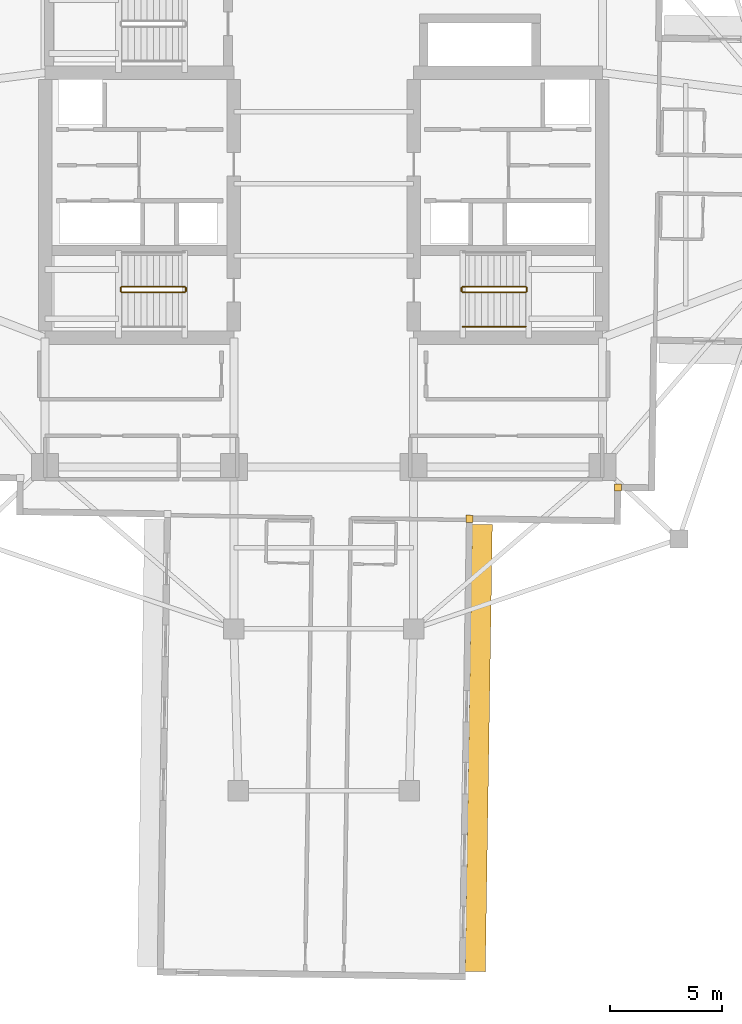
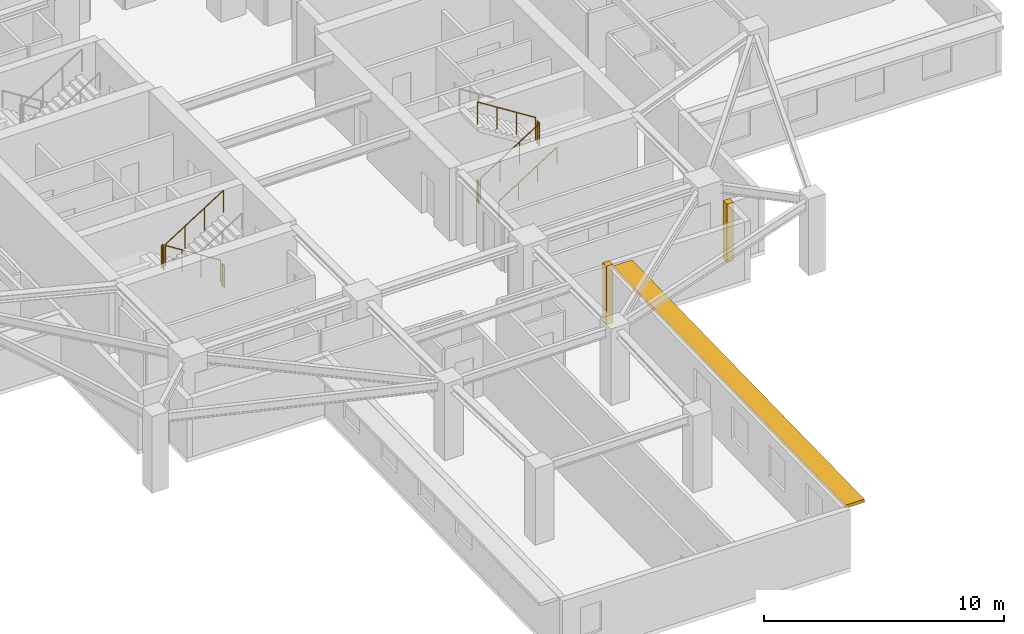
# One storey, part 10 of 13: 9 railings, 2 coverings, 1 shading device.
"""IFC4 building model written with IfcOpenShell, lengths in metres."""

from ifc_helpers import new_model, si_unit, direction, frame, origin, origin_2d, place, context, subcontext, project, spatial, rectangle, circle, extrude, material, layer, layer_set, type_object, element, save


model = new_model("IFC4")

# Units and contexts
model_context = context("Model", 3, precision=1e-05, world=origin(), true_north=direction((0.0, 1.0)))
body_context = subcontext(model_context, "Body", "Model", "MODEL_VIEW")
ifc_project = project(units=[si_unit("LENGTHUNIT", "METRE"), si_unit("AREAUNIT", "SQUARE_METRE"), si_unit("VOLUMEUNIT", "CUBIC_METRE"), si_unit("PLANEANGLEUNIT", "RADIAN"), si_unit("MASSUNIT", "GRAM", prefix="KILO")], contexts=[model_context])

# Site, building, storey
site_placement = place(None, origin())
site = spatial("IfcSite", under=ifc_project, at=site_placement, CompositionType="ELEMENT")
building_placement = place(site_placement, origin())
building = spatial("IfcBuilding", under=site, at=building_placement, Name="Qingluan Cross Belvedere", CompositionType="ELEMENT")
storey_placement = place(building_placement, frame((0.0, 0.0, 148.800048828125)))
storey = spatial("IfcBuildingStorey", under=building, at=storey_placement, Name="L37", CompositionType="ELEMENT", Elevation=148.800048828125)

# Coverings
ifc_material_1 = material(Name="Precast concrete C45", Category="concrete")
ifc_layer_1 = layer(ifc_material_1, 0.1201171875, Name="ConcreteSpandrelCladding_120")
ifc_layer_set_1 = layer_set([ifc_layer_1], Name="Precast concrete C45")
covering_type = type_object("IfcCoveringType", Name="ConcreteSpandrelCladding_120", PredefinedType="CLADDING", material=ifc_layer_set_1)
for number, where, z_axis, x_axis, name in (
    (1, (13.089599609375, -13.50732421875, 0.0), (0.0, 0.0, 1.0), (0.999876632482, -0.015707317312, 0.0), "Corner closure L37-SE1"),
    (2, (6.48681640625, -14.90380859375, 0.0), (0.0, 0.0, 1.0), (0.999876632482, -0.015707317312, 0.0), "Corner closure L37-SE2"),
):
    element("IfcCovering", number, at=place(storey_placement, frame(where, z_axis=z_axis, x_axis=x_axis)), inside=storey, type_object=covering_type, Name=name, PredefinedType="CLADDING", context=body_context, shape_type="SweptSolid", body=[
        extrude(rectangle(XDim=0.320068359375, YDim=0.320068359375, at=origin_2d()), origin(), (0.0, 0.0, 1.0), 2.969970703125),
    ])

# Shading device
ifc_material_2 = material(Name="Precast concrete C45", Category="concrete")
ifc_layer_2 = layer(ifc_material_2, 0.159912109375, Name="ConcreteSunshadeBand_900")
ifc_layer_set_2 = layer_set([ifc_layer_2], Name="Precast concrete C45")
shading_device_type = type_object("IfcShadingDeviceType", Name="ConcreteSunshadeBand_900", PredefinedType="USERDEFINED", material=ifc_layer_set_2)
shading_device_placement = place(storey_placement, frame((6.896484375, -25.101318359375, 2.7900390625), z_axis=(0.0, 0.0, 1.0), x_axis=(0.015706483741, 0.999876645576, 0.0)))
element("IfcShadingDevice", 3, at=shading_device_placement, inside=storey, type_object=shading_device_type, Name="Concrete SUNSHADE L37-SB", ObjectType="SUNSHADE", PredefinedType="USERDEFINED", context=body_context, shape_type="SweptSolid", body=[
    extrude(rectangle(XDim=19.89990234375, YDim=0.89990234375, at=origin_2d()), origin(), (0.0, 0.0, 1.0), 0.159912109375),
])

# Railings
ifc_material_3 = material(Name="Brushed stainless steel tubular handrail", Category="steel")
railing_type_1 = type_object("IfcRailingType", Name="StairPitchHandrail_900", PredefinedType="HANDRAIL", material=ifc_material_3)
railing_1_placement = place(storey_placement, frame((6.179931640625, -6.35009765625, 0.17724609375)))
element("IfcRailing", 4, at=railing_1_placement, inside=storey, type_object=railing_type_1, Name="L37 ST2 stair handrail 1", PredefinedType="HANDRAIL", context=body_context, shape_type="SweptSolid", body=[
    extrude(circle(Radius=0.02392578125, at=origin_2d()), frame((0.0, 0.0, 0.8759765625), z_axis=(0.844908973607, 0.0, 0.534910110503), x_axis=(0.0, 1.0, 0.0)), (0.0, 0.0, 1.0), 3.31396484375),
    extrude(circle(Radius=0.02099609375, at=origin_2d()), origin(), (0.0, 0.0, 1.0), 0.851806640625),
    extrude(circle(Radius=0.02099609375, at=origin_2d()), frame((0.933349609375, 0.0, 0.5908203125)), (0.0, 0.0, 1.0), 0.851806640625),
    extrude(circle(Radius=0.02099609375, at=origin_2d()), frame((1.86669921875, 0.0, 1.181884765625)), (0.0, 0.0, 1.0), 0.851806640625),
    extrude(circle(Radius=0.02099609375, at=origin_2d()), frame((2.800048828125, 0.0, 1.772705078125)), (0.0, 0.0, 1.0), 0.851806640625),
])
ifc_material_4 = material(Name="Painted steel stair well guard", Category="steel")
railing_type_2 = type_object("IfcRailingType", Name="StairWellGuard_1150", PredefinedType="BALUSTRADE", material=ifc_material_4)
railing_2_placement = place(storey_placement, frame((-6.179931640625, -4.570068359375, 0.17724609375)))
element("IfcRailing", 5, at=railing_2_placement, inside=storey, type_object=railing_type_2, Name="L37 ST1 stair guard 1", PredefinedType="BALUSTRADE", context=body_context, shape_type="SweptSolid", body=[
    extrude(circle(Radius=0.02392578125, at=origin_2d()), frame((0.0, 0.0, 1.1259765625), z_axis=(-0.844908973607, 0.0, 0.534910110503), x_axis=(0.0, -1.0, 0.0)), (0.0, 0.0, 1.0), 3.31396484375),
    extrude(circle(Radius=0.02099609375, at=origin_2d()), origin(), (0.0, 0.0, 1.0), 1.101806640625),
    extrude(circle(Radius=0.02099609375, at=origin_2d()), frame((-0.933349609375, 0.0, 0.5908203125)), (0.0, 0.0, 1.0), 1.101806640625),
    extrude(circle(Radius=0.02099609375, at=origin_2d()), frame((-1.86669921875, 0.0, 1.181884765625)), (0.0, 0.0, 1.0), 1.101806640625),
    extrude(circle(Radius=0.02099609375, at=origin_2d()), frame((-2.800048828125, 0.0, 1.772705078125)), (0.0, 0.0, 1.0), 1.101806640625),
])
railing_3_placement = place(storey_placement, frame((-9.030029296875, -4.6201171875, 1.949951171875)))
element("IfcRailing", 6, at=railing_3_placement, inside=storey, type_object=railing_type_2, Name="L37 ST1 stair guard 2", PredefinedType="BALUSTRADE", context=body_context, shape_type="SweptSolid", body=[
    extrude(circle(Radius=0.02392578125, at=origin_2d()), frame((0.0, 0.0, 1.1259765625), z_axis=(0.0, -1.0, 0.0), x_axis=(1.0, 0.0, 0.0)), (0.0, 0.0, 1.0), 0.159912109375),
    extrude(circle(Radius=0.02099609375, at=origin_2d()), origin(), (0.0, 0.0, 1.0), 1.101806640625),
    extrude(circle(Radius=0.02099609375, at=origin_2d()), frame((0.0, -0.159912109375, 0.0)), (0.0, 0.0, 1.0), 1.101806640625),
])
railing_4_placement = place(storey_placement, frame((-8.97998046875, -4.830078125, 2.127197265625)))
element("IfcRailing", 7, at=railing_4_placement, inside=storey, type_object=railing_type_2, Name="L37 ST1 stair guard 3", PredefinedType="BALUSTRADE", context=body_context, shape_type="SweptSolid", body=[
    extrude(circle(Radius=0.02392578125, at=origin_2d()), frame((0.0, 0.0, 1.1259765625), z_axis=(0.844908973607, 0.0, 0.534910110503), x_axis=(0.0, 1.0, 0.0)), (0.0, 0.0, 1.0), 3.31396484375),
    extrude(circle(Radius=0.02099609375, at=origin_2d()), origin(), (0.0, 0.0, 1.0), 1.101806640625),
    extrude(circle(Radius=0.02099609375, at=origin_2d()), frame((0.933349609375, 0.0, 0.5908203125)), (0.0, 0.0, 1.0), 1.101806640625),
    extrude(circle(Radius=0.02099609375, at=origin_2d()), frame((1.86669921875, 0.0, 1.181884765625)), (0.0, 0.0, 1.0), 1.101806640625),
    extrude(circle(Radius=0.02099609375, at=origin_2d()), frame((2.800048828125, 0.0, 1.772705078125)), (0.0, 0.0, 1.0), 1.101806640625),
])
railing_5_placement = place(storey_placement, frame((-6.1298828125, -4.6201171875, 0.0)))
element("IfcRailing", 8, at=railing_5_placement, inside=storey, type_object=railing_type_2, Name="L37 ST1 stair guard 4", PredefinedType="BALUSTRADE", context=body_context, shape_type="SweptSolid", body=[
    extrude(circle(Radius=0.02392578125, at=origin_2d()), frame((0.0, 0.0, 1.1259765625), z_axis=(0.0, -1.0, 0.0), x_axis=(1.0, 0.0, 0.0)), (0.0, 0.0, 1.0), 0.159912109375),
    extrude(circle(Radius=0.02099609375, at=origin_2d()), origin(), (0.0, 0.0, 1.0), 1.101806640625),
    extrude(circle(Radius=0.02099609375, at=origin_2d()), frame((0.0, -0.159912109375, 0.0)), (0.0, 0.0, 1.0), 1.101806640625),
])
railing_6_placement = place(storey_placement, frame((6.179931640625, -4.830078125, 0.17724609375)))
element("IfcRailing", 9, at=railing_6_placement, inside=storey, type_object=railing_type_2, Name="L37 ST2 stair guard 1", PredefinedType="BALUSTRADE", context=body_context, shape_type="SweptSolid", body=[
    extrude(circle(Radius=0.02392578125, at=origin_2d()), frame((0.0, 0.0, 1.1259765625), z_axis=(0.844908973607, 0.0, 0.534910110503), x_axis=(0.0, 1.0, 0.0)), (0.0, 0.0, 1.0), 3.31396484375),
    extrude(circle(Radius=0.02099609375, at=origin_2d()), origin(), (0.0, 0.0, 1.0), 1.101806640625),
    extrude(circle(Radius=0.02099609375, at=origin_2d()), frame((0.933349609375, 0.0, 0.5908203125)), (0.0, 0.0, 1.0), 1.101806640625),
    extrude(circle(Radius=0.02099609375, at=origin_2d()), frame((1.86669921875, 0.0, 1.181884765625)), (0.0, 0.0, 1.0), 1.101806640625),
    extrude(circle(Radius=0.02099609375, at=origin_2d()), frame((2.800048828125, 0.0, 1.772705078125)), (0.0, 0.0, 1.0), 1.101806640625),
])
railing_7_placement = place(storey_placement, frame((9.030029296875, -4.780029296875, 1.949951171875)))
element("IfcRailing", 10, at=railing_7_placement, inside=storey, type_object=railing_type_2, Name="L37 ST2 stair guard 2", PredefinedType="BALUSTRADE", context=body_context, shape_type="SweptSolid", body=[
    extrude(circle(Radius=0.02392578125, at=origin_2d()), frame((0.0, 0.0, 1.1259765625), z_axis=(0.0, 1.0, 0.0), x_axis=(-1.0, 0.0, 0.0)), (0.0, 0.0, 1.0), 0.159912109375),
    extrude(circle(Radius=0.02099609375, at=origin_2d()), origin(), (0.0, 0.0, 1.0), 1.101806640625),
    extrude(circle(Radius=0.02099609375, at=origin_2d()), frame((0.0, 0.159912109375, 0.0)), (0.0, 0.0, 1.0), 1.101806640625),
])
railing_8_placement = place(storey_placement, frame((8.97998046875, -4.570068359375, 2.127197265625)))
element("IfcRailing", 11, at=railing_8_placement, inside=storey, type_object=railing_type_2, Name="L37 ST2 stair guard 3", PredefinedType="BALUSTRADE", context=body_context, shape_type="SweptSolid", body=[
    extrude(circle(Radius=0.02392578125, at=origin_2d()), frame((0.0, 0.0, 1.1259765625), z_axis=(-0.844908973607, 0.0, 0.534910110503), x_axis=(0.0, -1.0, 0.0)), (0.0, 0.0, 1.0), 3.31396484375),
    extrude(circle(Radius=0.02099609375, at=origin_2d()), origin(), (0.0, 0.0, 1.0), 1.101806640625),
    extrude(circle(Radius=0.02099609375, at=origin_2d()), frame((-0.933349609375, 0.0, 0.5908203125)), (0.0, 0.0, 1.0), 1.101806640625),
    extrude(circle(Radius=0.02099609375, at=origin_2d()), frame((-1.86669921875, 0.0, 1.181884765625)), (0.0, 0.0, 1.0), 1.101806640625),
    extrude(circle(Radius=0.02099609375, at=origin_2d()), frame((-2.800048828125, 0.0, 1.772705078125)), (0.0, 0.0, 1.0), 1.101806640625),
])
railing_9_placement = place(storey_placement, frame((6.1298828125, -4.780029296875, 0.0)))
element("IfcRailing", 12, at=railing_9_placement, inside=storey, type_object=railing_type_2, Name="L37 ST2 stair guard 4", PredefinedType="BALUSTRADE", context=body_context, shape_type="SweptSolid", body=[
    extrude(circle(Radius=0.02392578125, at=origin_2d()), frame((0.0, 0.0, 1.1259765625), z_axis=(0.0, 1.0, 0.0), x_axis=(-1.0, 0.0, 0.0)), (0.0, 0.0, 1.0), 0.159912109375),
    extrude(circle(Radius=0.02099609375, at=origin_2d()), origin(), (0.0, 0.0, 1.0), 1.101806640625),
    extrude(circle(Radius=0.02099609375, at=origin_2d()), frame((0.0, 0.159912109375, 0.0)), (0.0, 0.0, 1.0), 1.101806640625),
])

save(model, "model.ifc")
